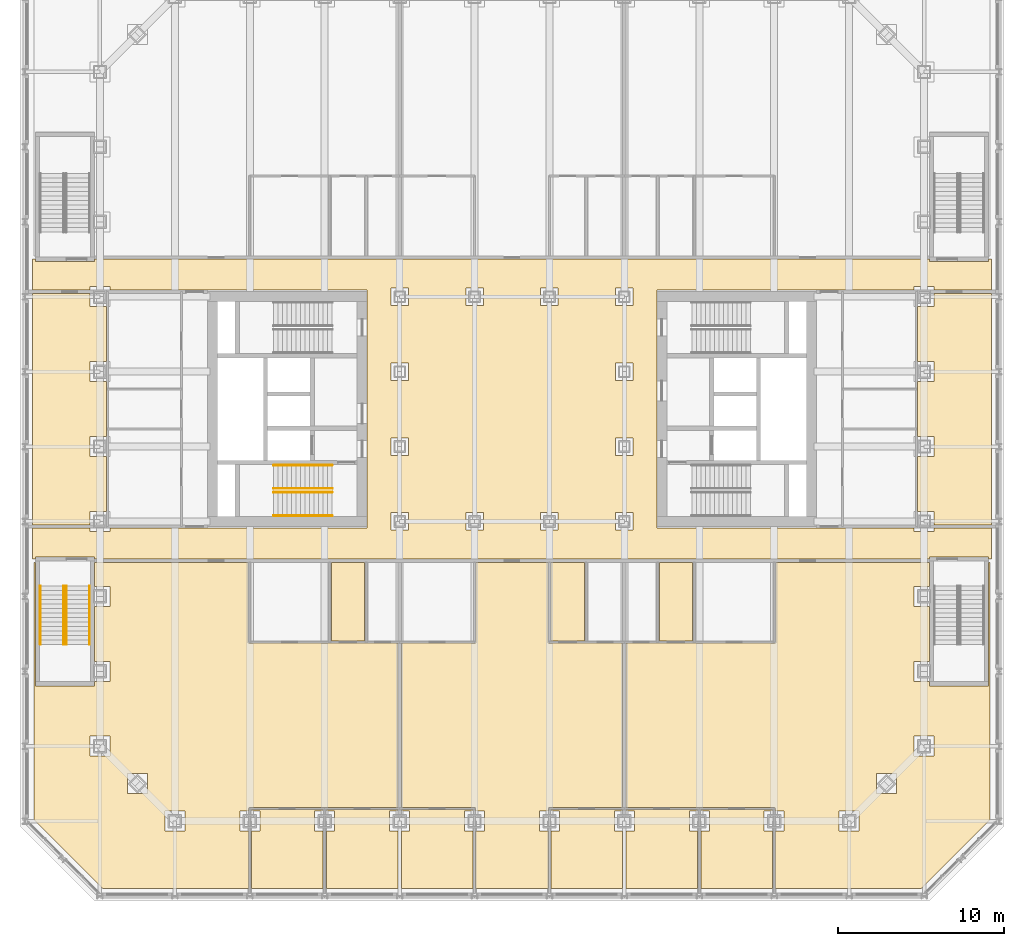
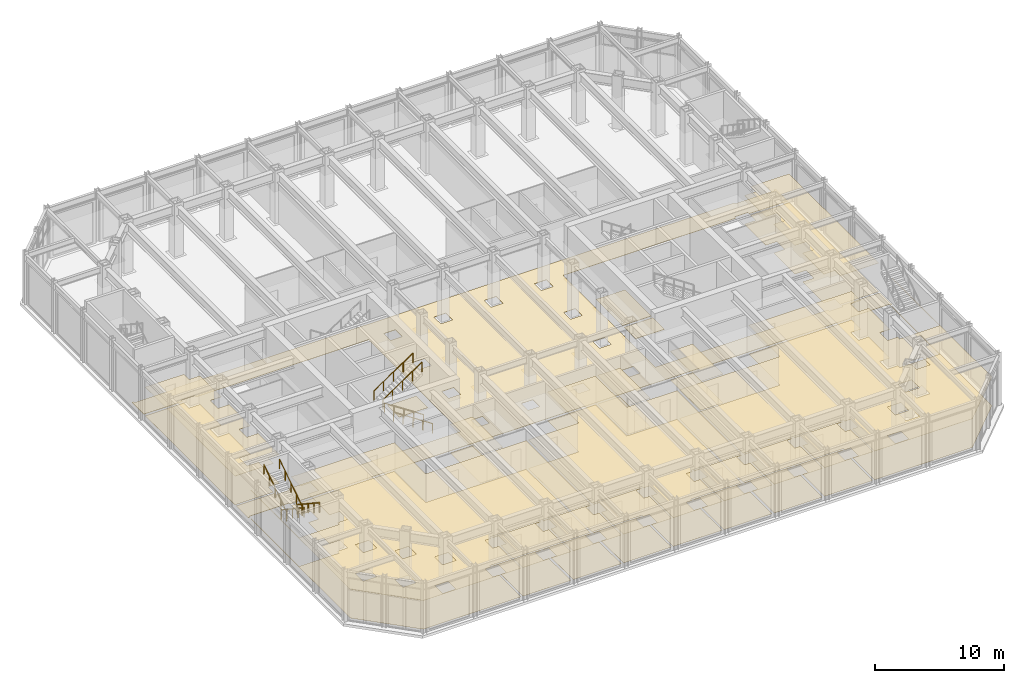
# One storey, part 17 of 19: 8 railings, 3 coverings.
"""IFC4 building model written with IfcOpenShell, lengths in metres."""

from ifc_helpers import new_model, si_unit, direction, frame, origin, origin_2d, place, context, subcontext, project, spatial, line, indexed_curve, circle, outline, extrude, material, layer, layer_set, type_object, element, save


model = new_model("IFC4")

# Units and contexts
model_context = context("Model", 3, precision=1e-05, world=origin(), true_north=direction((0.0, 1.0)))
body_context = subcontext(model_context, "Body", "Model", "MODEL_VIEW")
ifc_project = project(units=[si_unit("LENGTHUNIT", "METRE"), si_unit("AREAUNIT", "SQUARE_METRE"), si_unit("VOLUMEUNIT", "CUBIC_METRE"), si_unit("PLANEANGLEUNIT", "RADIAN"), si_unit("MASSUNIT", "GRAM", prefix="KILO")], contexts=[model_context])

# Site, building, storey
site_placement = place(None, origin())
site = spatial("IfcSite", under=ifc_project, at=site_placement, CompositionType="ELEMENT")
building_placement = place(site_placement, origin())
building = spatial("IfcBuilding", under=site, at=building_placement, Name="Msasa Ring Tower", CompositionType="ELEMENT")
storey_placement = place(building_placement, frame((0.0, 0.0, 6.0)))
storey = spatial("IfcBuildingStorey", under=building, at=storey_placement, Name="L01", CompositionType="ELEMENT", Elevation=6.0)

# Coverings
ifc_material_1 = material(Name="Mineral fibre ceiling tiles on an exposed steel grid", Category="steel")
ifc_layer_1 = layer(ifc_material_1, 0.02001953125)
ifc_layer_set_1 = layer_set([ifc_layer_1], Name="C3 ACOUSTIC MINERAL FIBRE TILE CEILING 20")
covering_type_1 = type_object("IfcCoveringType", Name="C3 ACOUSTIC MINERAL FIBRE TILE CEILING 20", PredefinedType="CEILING", material=ifc_layer_set_1)
covering_1_placement = place(storey_placement, frame((0.0, 0.0, 2.699951171875)))
element("IfcCovering", 1, at=covering_1_placement, inside=storey, type_object=covering_type_1, Name="Acoustic Mineral Fibre Tile Ceiling 20 L01", PredefinedType="CEILING", context=body_context, shape_type="SweptSolid", body=[
    extrude(outline(indexed_curve([(-24.3505859375, 2.8505859375), (-25.3505859375, 2.8505859375), (-25.3505859375, 1.6494140625), (-24.3505859375, 1.6494140625), (-24.3505859375, -1.6494140625), (-25.3505859375, -1.6494140625), (-25.3505859375, -2.8505859375), (-24.3505859375, -2.8505859375), (-24.3505859375, -6.1494140625), (-25.3505859375, -6.1494140625), (-25.3505859375, -6.949462890625), (-28.799560546875, -6.949462890625), (-28.799560546875, 6.949462890625), (-25.3505859375, 6.949462890625), (-25.3505859375, 6.1494140625), (-24.3505859375, 6.1494140625)], segments=[line(1, 2, 3, 4, 5, 6, 7, 8, 9, 10, 11, 12, 13, 14, 15, 16, 1)], self_intersect=False)), origin(), (0.0, 0.0, 1.0), 0.02001953125),
    extrude(outline(indexed_curve([(-28.630615234375, -9.200439453125), (-28.630615234375, -16.630615234375), (-25.069580078125, -16.630615234375), (-25.069580078125, -16.3505859375), (-24.1494140625, -16.3505859375), (-24.1494140625, -15.1494140625), (-25.069580078125, -15.1494140625), (-25.069580078125, -11.8505859375), (-24.1494140625, -11.8505859375), (-24.1494140625, -10.6494140625), (-25.069580078125, -10.6494140625), (-25.069580078125, -9.200439453125), (-15.8505859375, -9.200439453125), (-15.8505859375, -14.060546875), (-6.8505859375, -14.060546875), (-6.8505859375, -23.939453125), (-15.810546875, -23.939453125), (-15.810546875, -24.1494140625), (-16.3505859375, -24.1494140625), (-16.3505859375, -25.3505859375), (-15.810546875, -25.3505859375), (-15.810546875, -28.799560546875), (-24.5634765625, -28.799560546875), (-28.699462890625, -24.663330078125), (-28.699462890625, -9.200439453125)], segments=[line(1, 2, 3, 4, 5, 6, 7, 8, 9, 10, 11, 12, 13, 14, 15, 16, 17, 18, 19, 20, 21, 22, 23, 24, 25, 1)], self_intersect=False), holes=[indexed_curve([(-19.6494140625, -25.3505859375), (-19.6494140625, -24.1494140625), (-20.8505859375, -24.1494140625), (-20.8505859375, -25.3505859375)], segments=[line(1, 2, 3, 4, 1)], self_intersect=False), indexed_curve([(-21.8994140625, -23.1005859375), (-21.8994140625, -21.8994140625), (-23.1005859375, -21.8994140625), (-23.1005859375, -23.1005859375)], segments=[line(1, 2, 3, 4, 1)], self_intersect=False), indexed_curve([(-24.1494140625, -20.8505859375), (-24.1494140625, -19.6494140625), (-25.3505859375, -19.6494140625), (-25.3505859375, -20.8505859375)], segments=[line(1, 2, 3, 4, 1)], self_intersect=False)]), origin(), (0.0, 0.0, 1.0), 0.02001953125),
    extrude(outline(indexed_curve([(-15.6494140625, -25.3505859375), (-15.1494140625, -25.3505859375), (-15.1494140625, -24.1494140625), (-15.6494140625, -24.1494140625), (-15.6494140625, -24.060546875), (-11.3505859375, -24.060546875), (-11.3505859375, -24.1494140625), (-11.8505859375, -24.1494140625), (-11.8505859375, -25.3505859375), (-11.3505859375, -25.3505859375), (-11.3505859375, -28.799560546875), (-15.6494140625, -28.799560546875)], segments=[line(1, 2, 3, 4, 5, 6, 7, 8, 9, 10, 11, 12, 1)], self_intersect=False)), origin(), (0.0, 0.0, 1.0), 0.02001953125),
    extrude(outline(indexed_curve([(-6.8505859375, -24.060546875), (-6.8505859375, -24.1494140625), (-7.3505859375, -24.1494140625), (-7.3505859375, -25.3505859375), (-6.8505859375, -25.3505859375), (-6.8505859375, -28.799560546875), (-11.1494140625, -28.799560546875), (-11.1494140625, -25.3505859375), (-10.6494140625, -25.3505859375), (-10.6494140625, -24.1494140625), (-11.1494140625, -24.1494140625), (-11.1494140625, -24.060546875)], segments=[line(1, 2, 3, 4, 5, 6, 7, 8, 9, 10, 11, 12, 1)], self_intersect=False)), origin(), (0.0, 0.0, 1.0), 0.02001953125),
    extrude(outline(indexed_curve([(-10.849609375, -9.200439453125), (-8.8505859375, -9.200439453125), (-8.8505859375, -13.939453125), (-10.849609375, -13.939453125)], segments=[line(1, 2, 3, 4, 1)], self_intersect=False)), origin(), (0.0, 0.0, 1.0), 0.02001953125),
    extrude(outline(indexed_curve([(-2.189453125, -28.799560546875), (-2.189453125, -25.3505859375), (-1.6494140625, -25.3505859375), (-1.6494140625, -24.1494140625), (-2.189453125, -24.1494140625), (-2.189453125, -23.939453125), (-6.6494140625, -23.939453125), (-6.6494140625, -14.060546875), (-2.1494140625, -14.060546875), (-2.1494140625, -9.200439453125), (2.1494140625, -9.200439453125), (2.1494140625, -14.060546875), (6.6494140625, -14.060546875), (6.6494140625, -23.939453125), (2.189453125, -23.939453125), (2.189453125, -24.1494140625), (1.6494140625, -24.1494140625), (1.6494140625, -25.3505859375), (2.189453125, -25.3505859375), (2.189453125, -28.799560546875)], segments=[line(1, 2, 3, 4, 5, 6, 7, 8, 9, 10, 11, 12, 13, 14, 15, 16, 17, 18, 19, 20, 1)], self_intersect=False)), origin(), (0.0, 0.0, 1.0), 0.02001953125),
    extrude(outline(indexed_curve([(-2.3505859375, -24.060546875), (-2.3505859375, -24.1494140625), (-2.8505859375, -24.1494140625), (-2.8505859375, -25.3505859375), (-2.3505859375, -25.3505859375), (-2.3505859375, -28.799560546875), (-6.6494140625, -28.799560546875), (-6.6494140625, -25.3505859375), (-6.1494140625, -25.3505859375), (-6.1494140625, -24.1494140625), (-6.6494140625, -24.1494140625), (-6.6494140625, -24.060546875)], segments=[line(1, 2, 3, 4, 5, 6, 7, 8, 9, 10, 11, 12, 1)], self_intersect=False)), origin(), (0.0, 0.0, 1.0), 0.02001953125),
    extrude(outline(indexed_curve([(2.3505859375, -25.3505859375), (2.8505859375, -25.3505859375), (2.8505859375, -24.1494140625), (2.3505859375, -24.1494140625), (2.3505859375, -24.060546875), (6.6494140625, -24.060546875), (6.6494140625, -24.1494140625), (6.1494140625, -24.1494140625), (6.1494140625, -25.3505859375), (6.6494140625, -25.3505859375), (6.6494140625, -28.799560546875), (2.3505859375, -28.799560546875)], segments=[line(1, 2, 3, 4, 5, 6, 7, 8, 9, 10, 11, 12, 1)], self_intersect=False)), origin(), (0.0, 0.0, 1.0), 0.02001953125),
    extrude(outline(indexed_curve([(2.3505859375, -9.200439453125), (4.349609375, -9.200439453125), (4.349609375, -13.939453125), (2.3505859375, -13.939453125)], segments=[line(1, 2, 3, 4, 1)], self_intersect=False)), origin(), (0.0, 0.0, 1.0), 0.02001953125),
    extrude(outline(indexed_curve([(15.8505859375, -9.200439453125), (25.069580078125, -9.200439453125), (25.069580078125, -10.6494140625), (24.1494140625, -10.6494140625), (24.1494140625, -11.8505859375), (25.069580078125, -11.8505859375), (25.069580078125, -15.1494140625), (24.1494140625, -15.1494140625), (24.1494140625, -16.3505859375), (25.069580078125, -16.3505859375), (25.069580078125, -16.630615234375), (28.630615234375, -16.630615234375), (28.630615234375, -9.200439453125), (28.699462890625, -9.200439453125), (28.699462890625, -24.663330078125), (24.5634765625, -28.799560546875), (15.810546875, -28.799560546875), (15.810546875, -25.3505859375), (16.3505859375, -25.3505859375), (16.3505859375, -24.1494140625), (15.810546875, -24.1494140625), (15.810546875, -23.939453125), (6.8505859375, -23.939453125), (6.8505859375, -14.060546875), (15.8505859375, -14.060546875)], segments=[line(1, 2, 3, 4, 5, 6, 7, 8, 9, 10, 11, 12, 13, 14, 15, 16, 17, 18, 19, 20, 21, 22, 23, 24, 25, 1)], self_intersect=False), holes=[indexed_curve([(20.8505859375, -25.3505859375), (20.8505859375, -24.1494140625), (19.6494140625, -24.1494140625), (19.6494140625, -25.3505859375)], segments=[line(1, 2, 3, 4, 1)], self_intersect=False), indexed_curve([(23.1005859375, -23.1005859375), (23.1005859375, -21.8994140625), (21.8994140625, -21.8994140625), (21.8994140625, -23.1005859375)], segments=[line(1, 2, 3, 4, 1)], self_intersect=False), indexed_curve([(25.3505859375, -20.8505859375), (25.3505859375, -19.6494140625), (24.1494140625, -19.6494140625), (24.1494140625, -20.8505859375)], segments=[line(1, 2, 3, 4, 1)], self_intersect=False)]), origin(), (0.0, 0.0, 1.0), 0.02001953125),
    extrude(outline(indexed_curve([(11.1494140625, -24.060546875), (11.1494140625, -24.1494140625), (10.6494140625, -24.1494140625), (10.6494140625, -25.3505859375), (11.1494140625, -25.3505859375), (11.1494140625, -28.799560546875), (6.8505859375, -28.799560546875), (6.8505859375, -25.3505859375), (7.3505859375, -25.3505859375), (7.3505859375, -24.1494140625), (6.8505859375, -24.1494140625), (6.8505859375, -24.060546875)], segments=[line(1, 2, 3, 4, 5, 6, 7, 8, 9, 10, 11, 12, 1)], self_intersect=False)), origin(), (0.0, 0.0, 1.0), 0.02001953125),
    extrude(outline(indexed_curve([(8.8505859375, -9.200439453125), (10.849609375, -9.200439453125), (10.849609375, -13.939453125), (8.8505859375, -13.939453125)], segments=[line(1, 2, 3, 4, 1)], self_intersect=False)), origin(), (0.0, 0.0, 1.0), 0.02001953125),
    extrude(outline(indexed_curve([(15.6494140625, -24.060546875), (15.6494140625, -24.1494140625), (15.1494140625, -24.1494140625), (15.1494140625, -25.3505859375), (15.6494140625, -25.3505859375), (15.6494140625, -28.799560546875), (11.3505859375, -28.799560546875), (11.3505859375, -25.3505859375), (11.8505859375, -25.3505859375), (11.8505859375, -24.1494140625), (11.3505859375, -24.1494140625), (11.3505859375, -24.060546875)], segments=[line(1, 2, 3, 4, 5, 6, 7, 8, 9, 10, 11, 12, 1)], self_intersect=False)), origin(), (0.0, 0.0, 1.0), 0.02001953125),
    extrude(outline(indexed_curve([(24.3505859375, -2.8505859375), (25.3505859375, -2.8505859375), (25.3505859375, -1.6494140625), (24.3505859375, -1.6494140625), (24.3505859375, 1.6494140625), (25.3505859375, 1.6494140625), (25.3505859375, 2.8505859375), (24.3505859375, 2.8505859375), (24.3505859375, 6.1494140625), (25.3505859375, 6.1494140625), (25.3505859375, 6.949462890625), (28.799560546875, 6.949462890625), (28.799560546875, -6.949462890625), (25.3505859375, -6.949462890625), (25.3505859375, -6.1494140625), (24.3505859375, -6.1494140625)], segments=[line(1, 2, 3, 4, 5, 6, 7, 8, 9, 10, 11, 12, 13, 14, 15, 16, 1)], self_intersect=False)), origin(), (0.0, 0.0, 1.0), 0.02001953125),
])
ifc_material_2 = material(Name="Honed granite tiles on a mortar bed", Category="masonry")
ifc_layer_2 = layer(ifc_material_2, 0.030029296875)
ifc_layer_set_2 = layer_set([ifc_layer_2], Name="F1 HONED GRANITE ON BEDDING 30")
covering_type_2 = type_object("IfcCoveringType", Name="F1 HONED GRANITE ON BEDDING 30", PredefinedType="FLOORING", material=ifc_layer_set_2)
covering_2_placement = place(storey_placement, origin())
element("IfcCovering", 2, at=covering_2_placement, inside=storey, type_object=covering_type_2, Name="Honed Granite On Bedding 30 L01", PredefinedType="FLOORING", context=body_context, shape_type="SweptSolid", body=[
    extrude(outline(indexed_curve([(-8.699462890625, 7.150390625), (-24.1494140625, 7.150390625), (-24.1494140625, 7.3505859375), (-25.3505859375, 7.3505859375), (-25.3505859375, 7.150390625), (-28.799560546875, 7.150390625), (-28.799560546875, 8.99951171875), (-28.625, 8.99951171875), (-28.625, 8.87451171875), (-25.074951171875, 8.87451171875), (-25.074951171875, 8.99951171875), (25.074951171875, 8.99951171875), (25.074951171875, 8.87451171875), (28.625, 8.87451171875), (28.625, 8.99951171875), (28.799560546875, 8.99951171875), (28.799560546875, 7.150390625), (25.3505859375, 7.150390625), (25.3505859375, 7.3505859375), (24.1494140625, 7.3505859375), (24.1494140625, 7.150390625), (8.699462890625, 7.150390625), (8.699462890625, -7.150390625), (24.1494140625, -7.150390625), (24.1494140625, -7.3505859375), (25.3505859375, -7.3505859375), (25.3505859375, -7.150390625), (28.799560546875, -7.150390625), (28.799560546875, -8.99951171875), (28.625, -8.99951171875), (28.625, -8.87451171875), (25.074951171875, -8.87451171875), (25.074951171875, -8.99951171875), (-25.074951171875, -8.99951171875), (-25.074951171875, -8.87451171875), (-28.625, -8.87451171875), (-28.625, -8.99951171875), (-28.799560546875, -8.99951171875), (-28.799560546875, -7.150390625), (-25.3505859375, -7.150390625), (-25.3505859375, -7.3505859375), (-24.1494140625, -7.3505859375), (-24.1494140625, -7.150390625), (-8.699462890625, -7.150390625)], segments=[line(1, 2, 3, 4, 5, 6, 7, 8, 9, 10, 11, 12, 13, 14, 15, 16, 17, 18, 19, 20, 21, 22, 23, 24, 25, 26, 27, 28, 29, 30, 31, 32, 33, 34, 35, 36, 37, 38, 39, 40, 41, 42, 43, 44, 1)], self_intersect=False), holes=[indexed_curve([(-6.224609375, -7.275390625), (-6.224609375, -6.224609375), (-7.275390625, -6.224609375), (-7.275390625, -7.275390625)], segments=[line(1, 2, 3, 4, 1)], self_intersect=False), indexed_curve([(-1.724609375, -7.275390625), (-1.724609375, -6.224609375), (-2.775390625, -6.224609375), (-2.775390625, -7.275390625)], segments=[line(1, 2, 3, 4, 1)], self_intersect=False), indexed_curve([(-6.224609375, -2.775390625), (-6.224609375, -1.724609375), (-7.275390625, -1.724609375), (-7.275390625, -2.775390625)], segments=[line(1, 2, 3, 4, 1)], self_intersect=False), indexed_curve([(-6.224609375, 1.724609375), (-6.224609375, 2.775390625), (-7.275390625, 2.775390625), (-7.275390625, 1.724609375)], segments=[line(1, 2, 3, 4, 1)], self_intersect=False), indexed_curve([(-6.224609375, 6.224609375), (-6.224609375, 7.275390625), (-7.275390625, 7.275390625), (-7.275390625, 6.224609375)], segments=[line(1, 2, 3, 4, 1)], self_intersect=False), indexed_curve([(-1.724609375, 6.224609375), (-1.724609375, 7.275390625), (-2.775390625, 7.275390625), (-2.775390625, 6.224609375)], segments=[line(1, 2, 3, 4, 1)], self_intersect=False), indexed_curve([(2.775390625, -7.275390625), (2.775390625, -6.224609375), (1.724609375, -6.224609375), (1.724609375, -7.275390625)], segments=[line(1, 2, 3, 4, 1)], self_intersect=False), indexed_curve([(7.275390625, -7.275390625), (7.275390625, -6.224609375), (6.224609375, -6.224609375), (6.224609375, -7.275390625)], segments=[line(1, 2, 3, 4, 1)], self_intersect=False), indexed_curve([(7.275390625, -2.775390625), (7.275390625, -1.724609375), (6.224609375, -1.724609375), (6.224609375, -2.775390625)], segments=[line(1, 2, 3, 4, 1)], self_intersect=False), indexed_curve([(7.275390625, 1.724609375), (7.275390625, 2.775390625), (6.224609375, 2.775390625), (6.224609375, 1.724609375)], segments=[line(1, 2, 3, 4, 1)], self_intersect=False), indexed_curve([(2.775390625, 6.224609375), (2.775390625, 7.275390625), (1.724609375, 7.275390625), (1.724609375, 6.224609375)], segments=[line(1, 2, 3, 4, 1)], self_intersect=False), indexed_curve([(7.275390625, 6.224609375), (7.275390625, 7.275390625), (6.224609375, 7.275390625), (6.224609375, 6.224609375)], segments=[line(1, 2, 3, 4, 1)], self_intersect=False)]), origin(), (0.0, 0.0, 1.0), 0.030029296875),
    extrude(outline(indexed_curve([(-11.87451171875, -3.074462890625), (-11.87451171875, -1.275390625), (-9.300537109375, -1.275390625), (-9.300537109375, -3.074462890625)], segments=[line(1, 2, 3, 4, 1)], self_intersect=False)), origin(), (0.0, 0.0, 1.0), 0.030029296875),
    extrude(outline(indexed_curve([(9.300537109375, -3.074462890625), (9.300537109375, -1.275390625), (11.87451171875, -1.275390625), (11.87451171875, -3.074462890625)], segments=[line(1, 2, 3, 4, 1)], self_intersect=False)), origin(), (0.0, 0.0, 1.0), 0.030029296875),
    extrude(outline(indexed_curve([(9.300537109375, -1.0244140625), (9.300537109375, 3.074462890625), (11.87451171875, 3.074462890625), (11.87451171875, -1.0244140625)], segments=[line(1, 2, 3, 4, 1)], self_intersect=False)), origin(), (0.0, 0.0, 1.0), 0.030029296875),
])
ifc_material_3 = material(Name="Welded vinyl safety sheet flooring", Category="vinyl")
ifc_layer_3 = layer(ifc_material_3, 0.0029296875)
ifc_layer_set_3 = layer_set([ifc_layer_3], Name="F5 RESILIENT SHEET FLOORING 3")
covering_type_3 = type_object("IfcCoveringType", Name="F5 RESILIENT SHEET FLOORING 3", PredefinedType="FLOORING", material=ifc_layer_set_3)
covering_3_placement = place(storey_placement, origin())
element("IfcCovering", 3, at=covering_3_placement, inside=storey, type_object=covering_type_3, Name="Resilient Sheet Flooring 3 L01", PredefinedType="FLOORING", context=body_context, shape_type="SweptSolid", body=[
    extrude(outline(indexed_curve([(-28.799560546875, 6.949462890625), (-25.3505859375, 6.949462890625), (-25.3505859375, 6.1494140625), (-24.3505859375, 6.1494140625), (-24.3505859375, 2.8505859375), (-25.3505859375, 2.8505859375), (-25.3505859375, 1.6494140625), (-24.3505859375, 1.6494140625), (-24.3505859375, -1.6494140625), (-25.3505859375, -1.6494140625), (-25.3505859375, -2.8505859375), (-24.3505859375, -2.8505859375), (-24.3505859375, -6.1494140625), (-25.3505859375, -6.1494140625), (-25.3505859375, -6.949462890625), (-28.799560546875, -6.949462890625)], segments=[line(1, 2, 3, 4, 5, 6, 7, 8, 9, 10, 11, 12, 13, 14, 15, 16, 1)], self_intersect=False)), origin(), (0.0, 0.0, 1.0), 0.0029296875),
    extrude(outline(indexed_curve([(-28.630615234375, -16.630615234375), (-25.069580078125, -16.630615234375), (-25.069580078125, -16.3505859375), (-24.1494140625, -16.3505859375), (-24.1494140625, -15.1494140625), (-25.069580078125, -15.1494140625), (-25.069580078125, -11.8505859375), (-24.1494140625, -11.8505859375), (-24.1494140625, -10.6494140625), (-25.069580078125, -10.6494140625), (-25.069580078125, -9.200439453125), (-15.8505859375, -9.200439453125), (-15.8505859375, -14.060546875), (-6.8505859375, -14.060546875), (-6.8505859375, -23.939453125), (-15.810546875, -23.939453125), (-15.810546875, -24.1494140625), (-16.3505859375, -24.1494140625), (-16.3505859375, -25.3505859375), (-15.810546875, -25.3505859375), (-15.810546875, -28.799560546875), (-24.5634765625, -28.799560546875), (-28.699462890625, -24.663330078125), (-28.699462890625, -9.200439453125), (-28.630615234375, -9.200439453125)], segments=[line(1, 2, 3, 4, 5, 6, 7, 8, 9, 10, 11, 12, 13, 14, 15, 16, 17, 18, 19, 20, 21, 22, 23, 24, 25, 1)], self_intersect=False), holes=[indexed_curve([(-19.6494140625, -25.3505859375), (-19.6494140625, -24.1494140625), (-20.8505859375, -24.1494140625), (-20.8505859375, -25.3505859375)], segments=[line(1, 2, 3, 4, 1)], self_intersect=False), indexed_curve([(-21.8994140625, -23.1005859375), (-21.8994140625, -21.8994140625), (-23.1005859375, -21.8994140625), (-23.1005859375, -23.1005859375)], segments=[line(1, 2, 3, 4, 1)], self_intersect=False), indexed_curve([(-24.1494140625, -20.8505859375), (-24.1494140625, -19.6494140625), (-25.3505859375, -19.6494140625), (-25.3505859375, -20.8505859375)], segments=[line(1, 2, 3, 4, 1)], self_intersect=False)]), origin(), (0.0, 0.0, 1.0), 0.0029296875),
    extrude(outline(indexed_curve([(-11.3505859375, -24.060546875), (-11.3505859375, -24.1494140625), (-11.8505859375, -24.1494140625), (-11.8505859375, -25.3505859375), (-11.3505859375, -25.3505859375), (-11.3505859375, -28.799560546875), (-15.6494140625, -28.799560546875), (-15.6494140625, -25.3505859375), (-15.1494140625, -25.3505859375), (-15.1494140625, -24.1494140625), (-15.6494140625, -24.1494140625), (-15.6494140625, -24.060546875)], segments=[line(1, 2, 3, 4, 5, 6, 7, 8, 9, 10, 11, 12, 1)], self_intersect=False)), origin(), (0.0, 0.0, 1.0), 0.0029296875),
    extrude(outline(indexed_curve([(-11.1494140625, -28.799560546875), (-11.1494140625, -25.3505859375), (-10.6494140625, -25.3505859375), (-10.6494140625, -24.1494140625), (-11.1494140625, -24.1494140625), (-11.1494140625, -24.060546875), (-6.8505859375, -24.060546875), (-6.8505859375, -24.1494140625), (-7.3505859375, -24.1494140625), (-7.3505859375, -25.3505859375), (-6.8505859375, -25.3505859375), (-6.8505859375, -28.799560546875)], segments=[line(1, 2, 3, 4, 5, 6, 7, 8, 9, 10, 11, 12, 1)], self_intersect=False)), origin(), (0.0, 0.0, 1.0), 0.0029296875),
    extrude(outline(indexed_curve([(-8.8505859375, -9.200439453125), (-8.8505859375, -13.939453125), (-10.849609375, -13.939453125), (-10.849609375, -9.200439453125)], segments=[line(1, 2, 3, 4, 1)], self_intersect=False)), origin(), (0.0, 0.0, 1.0), 0.0029296875),
    extrude(outline(indexed_curve([(-2.189453125, -25.3505859375), (-1.6494140625, -25.3505859375), (-1.6494140625, -24.1494140625), (-2.189453125, -24.1494140625), (-2.189453125, -23.939453125), (-6.6494140625, -23.939453125), (-6.6494140625, -14.060546875), (-2.1494140625, -14.060546875), (-2.1494140625, -9.200439453125), (2.1494140625, -9.200439453125), (2.1494140625, -14.060546875), (6.6494140625, -14.060546875), (6.6494140625, -23.939453125), (2.189453125, -23.939453125), (2.189453125, -24.1494140625), (1.6494140625, -24.1494140625), (1.6494140625, -25.3505859375), (2.189453125, -25.3505859375), (2.189453125, -28.799560546875), (-2.189453125, -28.799560546875)], segments=[line(1, 2, 3, 4, 5, 6, 7, 8, 9, 10, 11, 12, 13, 14, 15, 16, 17, 18, 19, 20, 1)], self_intersect=False)), origin(), (0.0, 0.0, 1.0), 0.0029296875),
    extrude(outline(indexed_curve([(-2.3505859375, -24.1494140625), (-2.8505859375, -24.1494140625), (-2.8505859375, -25.3505859375), (-2.3505859375, -25.3505859375), (-2.3505859375, -28.799560546875), (-6.6494140625, -28.799560546875), (-6.6494140625, -25.3505859375), (-6.1494140625, -25.3505859375), (-6.1494140625, -24.1494140625), (-6.6494140625, -24.1494140625), (-6.6494140625, -24.060546875), (-2.3505859375, -24.060546875)], segments=[line(1, 2, 3, 4, 5, 6, 7, 8, 9, 10, 11, 12, 1)], self_intersect=False)), origin(), (0.0, 0.0, 1.0), 0.0029296875),
    extrude(outline(indexed_curve([(6.6494140625, -24.060546875), (6.6494140625, -24.1494140625), (6.1494140625, -24.1494140625), (6.1494140625, -25.3505859375), (6.6494140625, -25.3505859375), (6.6494140625, -28.799560546875), (2.3505859375, -28.799560546875), (2.3505859375, -25.3505859375), (2.8505859375, -25.3505859375), (2.8505859375, -24.1494140625), (2.3505859375, -24.1494140625), (2.3505859375, -24.060546875)], segments=[line(1, 2, 3, 4, 5, 6, 7, 8, 9, 10, 11, 12, 1)], self_intersect=False)), origin(), (0.0, 0.0, 1.0), 0.0029296875),
    extrude(outline(indexed_curve([(4.349609375, -9.200439453125), (4.349609375, -13.939453125), (2.3505859375, -13.939453125), (2.3505859375, -9.200439453125)], segments=[line(1, 2, 3, 4, 1)], self_intersect=False)), origin(), (0.0, 0.0, 1.0), 0.0029296875),
    extrude(outline(indexed_curve([(25.069580078125, -9.200439453125), (25.069580078125, -10.6494140625), (24.1494140625, -10.6494140625), (24.1494140625, -11.8505859375), (25.069580078125, -11.8505859375), (25.069580078125, -15.1494140625), (24.1494140625, -15.1494140625), (24.1494140625, -16.3505859375), (25.069580078125, -16.3505859375), (25.069580078125, -16.630615234375), (28.630615234375, -16.630615234375), (28.630615234375, -9.200439453125), (28.699462890625, -9.200439453125), (28.699462890625, -24.663330078125), (24.5634765625, -28.799560546875), (15.810546875, -28.799560546875), (15.810546875, -25.3505859375), (16.3505859375, -25.3505859375), (16.3505859375, -24.1494140625), (15.810546875, -24.1494140625), (15.810546875, -23.939453125), (6.8505859375, -23.939453125), (6.8505859375, -14.060546875), (15.8505859375, -14.060546875), (15.8505859375, -9.200439453125)], segments=[line(1, 2, 3, 4, 5, 6, 7, 8, 9, 10, 11, 12, 13, 14, 15, 16, 17, 18, 19, 20, 21, 22, 23, 24, 25, 1)], self_intersect=False), holes=[indexed_curve([(20.8505859375, -25.3505859375), (20.8505859375, -24.1494140625), (19.6494140625, -24.1494140625), (19.6494140625, -25.3505859375)], segments=[line(1, 2, 3, 4, 1)], self_intersect=False), indexed_curve([(23.1005859375, -23.1005859375), (23.1005859375, -21.8994140625), (21.8994140625, -21.8994140625), (21.8994140625, -23.1005859375)], segments=[line(1, 2, 3, 4, 1)], self_intersect=False), indexed_curve([(25.3505859375, -20.8505859375), (25.3505859375, -19.6494140625), (24.1494140625, -19.6494140625), (24.1494140625, -20.8505859375)], segments=[line(1, 2, 3, 4, 1)], self_intersect=False)]), origin(), (0.0, 0.0, 1.0), 0.0029296875),
    extrude(outline(indexed_curve([(11.1494140625, -24.1494140625), (10.6494140625, -24.1494140625), (10.6494140625, -25.3505859375), (11.1494140625, -25.3505859375), (11.1494140625, -28.799560546875), (6.8505859375, -28.799560546875), (6.8505859375, -25.3505859375), (7.3505859375, -25.3505859375), (7.3505859375, -24.1494140625), (6.8505859375, -24.1494140625), (6.8505859375, -24.060546875), (11.1494140625, -24.060546875)], segments=[line(1, 2, 3, 4, 5, 6, 7, 8, 9, 10, 11, 12, 1)], self_intersect=False)), origin(), (0.0, 0.0, 1.0), 0.0029296875),
    extrude(outline(indexed_curve([(10.849609375, -9.200439453125), (10.849609375, -13.939453125), (8.8505859375, -13.939453125), (8.8505859375, -9.200439453125)], segments=[line(1, 2, 3, 4, 1)], self_intersect=False)), origin(), (0.0, 0.0, 1.0), 0.0029296875),
    extrude(outline(indexed_curve([(15.6494140625, -24.1494140625), (15.1494140625, -24.1494140625), (15.1494140625, -25.3505859375), (15.6494140625, -25.3505859375), (15.6494140625, -28.799560546875), (11.3505859375, -28.799560546875), (11.3505859375, -25.3505859375), (11.8505859375, -25.3505859375), (11.8505859375, -24.1494140625), (11.3505859375, -24.1494140625), (11.3505859375, -24.060546875), (15.6494140625, -24.060546875)], segments=[line(1, 2, 3, 4, 5, 6, 7, 8, 9, 10, 11, 12, 1)], self_intersect=False)), origin(), (0.0, 0.0, 1.0), 0.0029296875),
    extrude(outline(indexed_curve([(24.3505859375, -2.8505859375), (25.3505859375, -2.8505859375), (25.3505859375, -1.6494140625), (24.3505859375, -1.6494140625), (24.3505859375, 1.6494140625), (25.3505859375, 1.6494140625), (25.3505859375, 2.8505859375), (24.3505859375, 2.8505859375), (24.3505859375, 6.1494140625), (25.3505859375, 6.1494140625), (25.3505859375, 6.949462890625), (28.799560546875, 6.949462890625), (28.799560546875, -6.949462890625), (25.3505859375, -6.949462890625), (25.3505859375, -6.1494140625), (24.3505859375, -6.1494140625)], segments=[line(1, 2, 3, 4, 5, 6, 7, 8, 9, 10, 11, 12, 13, 14, 15, 16, 1)], self_intersect=False)), origin(), (0.0, 0.0, 1.0), 0.0029296875),
])

# Railings
ifc_material_4 = material(Name="Stainless steel", Category="steel")
railing_type = type_object("IfcRailingType", Name="HR1 HANDRAIL 900", PredefinedType="HANDRAIL", material=ifc_material_4)
for number, where, name in (
    (4, (-10.800048828125, -6.39990234375, 0.178466796875), "Handrail stair SWA L01 1"),
    (5, (-10.800048828125, -5.0, 0.178466796875), "Handrail stair SWA L01 2"),
):
    element("IfcRailing", number, at=place(storey_placement, frame(where)), inside=storey, type_object=railing_type, Name=name, PredefinedType="HANDRAIL", context=body_context, shape_type="SweptSolid", body=[
        extrude(circle(Radius=0.02392578125, at=origin_2d()), frame((0.0, 0.0, 0.8759765625), z_axis=(-0.834070780157, 0.0, 0.551657442339), x_axis=(0.0, -1.0, 0.0)), (0.0, 0.0, 1.0), 4.208251953125),
        extrude(circle(Radius=0.02099609375, at=origin_2d()), origin(), (0.0, 0.0, 1.0), 0.851806640625),
        extrude(circle(Radius=0.02099609375, at=origin_2d()), frame((-0.87744140625, 0.0, 0.580322265625)), (0.0, 0.0, 1.0), 0.851806640625),
        extrude(circle(Radius=0.02099609375, at=origin_2d()), frame((-1.7548828125, 0.0, 1.16064453125)), (0.0, 0.0, 1.0), 0.851806640625),
        extrude(circle(Radius=0.02099609375, at=origin_2d()), frame((-2.632568359375, 0.0, 1.7412109375)), (0.0, 0.0, 1.0), 0.851806640625),
        extrude(circle(Radius=0.02099609375, at=origin_2d()), frame((-3.510009765625, 0.0, 2.321533203125)), (0.0, 0.0, 1.0), 0.851806640625),
    ])
for number, where, name in (
    (6, (-14.31005859375, -4.77490234375, 2.678466796875), "Handrail stair SWA L01 3"),
    (7, (-14.31005859375, -3.375, 2.678466796875), "Handrail stair SWA L01 4"),
):
    element("IfcRailing", number, at=place(storey_placement, frame(where)), inside=storey, type_object=railing_type, Name=name, PredefinedType="HANDRAIL", context=body_context, shape_type="SweptSolid", body=[
        extrude(circle(Radius=0.02392578125, at=origin_2d()), frame((0.0, 0.0, 0.8759765625), z_axis=(0.834070780157, 0.0, 0.551657442339), x_axis=(0.0, 1.0, 0.0)), (0.0, 0.0, 1.0), 4.208251953125),
        extrude(circle(Radius=0.02099609375, at=origin_2d()), origin(), (0.0, 0.0, 1.0), 0.851806640625),
        extrude(circle(Radius=0.02099609375, at=origin_2d()), frame((0.87744140625, 0.0, 0.580322265625)), (0.0, 0.0, 1.0), 0.851806640625),
        extrude(circle(Radius=0.02099609375, at=origin_2d()), frame((1.7548828125, 0.0, 1.16064453125)), (0.0, 0.0, 1.0), 0.851806640625),
        extrude(circle(Radius=0.02099609375, at=origin_2d()), frame((2.632568359375, 0.0, 1.7412109375)), (0.0, 0.0, 1.0), 0.851806640625),
        extrude(circle(Radius=0.02099609375, at=origin_2d()), frame((3.510009765625, 0.0, 2.321533203125)), (0.0, 0.0, 1.0), 0.851806640625),
    ])
for number, where, name in (
    (8, (-26.77490234375, -10.625, 0.178466796875), "Handrail podium stair PWS L01 1"),
    (9, (-25.375, -10.625, 0.178466796875), "Handrail podium stair PWS L01 2"),
):
    element("IfcRailing", number, at=place(storey_placement, frame(where)), inside=storey, type_object=railing_type, Name=name, PredefinedType="HANDRAIL", context=body_context, shape_type="SweptSolid", body=[
        extrude(circle(Radius=0.02392578125, at=origin_2d()), frame((0.0, 0.0, 0.8759765625), z_axis=(0.0, -0.834070780157, 0.551657442339), x_axis=(1.0, 0.0, 0.0)), (0.0, 0.0, 1.0), 4.208251953125),
        extrude(circle(Radius=0.02099609375, at=origin_2d()), origin(), (0.0, 0.0, 1.0), 0.851806640625),
        extrude(circle(Radius=0.02099609375, at=origin_2d()), frame((0.0, -0.87744140625, 0.580322265625)), (0.0, 0.0, 1.0), 0.851806640625),
        extrude(circle(Radius=0.02099609375, at=origin_2d()), frame((0.0, -1.7548828125, 1.16064453125)), (0.0, 0.0, 1.0), 0.851806640625),
        extrude(circle(Radius=0.02099609375, at=origin_2d()), frame((0.0, -2.632568359375, 1.7412109375)), (0.0, 0.0, 1.0), 0.851806640625),
        extrude(circle(Radius=0.02099609375, at=origin_2d()), frame((0.0, -3.510009765625, 2.321533203125)), (0.0, 0.0, 1.0), 0.851806640625),
    ])
for number, where, name in (
    (10, (-28.324951171875, -14.135009765625, 2.678466796875), "Handrail podium stair PWS L01 3"),
    (11, (-26.925048828125, -14.135009765625, 2.678466796875), "Handrail podium stair PWS L01 4"),
):
    element("IfcRailing", number, at=place(storey_placement, frame(where)), inside=storey, type_object=railing_type, Name=name, PredefinedType="HANDRAIL", context=body_context, shape_type="SweptSolid", body=[
        extrude(circle(Radius=0.02392578125, at=origin_2d()), frame((0.0, 0.0, 0.8759765625), z_axis=(0.0, 0.834070780157, 0.551657442339), x_axis=(-1.0, 0.0, 0.0)), (0.0, 0.0, 1.0), 4.208251953125),
        extrude(circle(Radius=0.02099609375, at=origin_2d()), origin(), (0.0, 0.0, 1.0), 0.851806640625),
        extrude(circle(Radius=0.02099609375, at=origin_2d()), frame((0.0, 0.87744140625, 0.580322265625)), (0.0, 0.0, 1.0), 0.851806640625),
        extrude(circle(Radius=0.02099609375, at=origin_2d()), frame((0.0, 1.7548828125, 1.16064453125)), (0.0, 0.0, 1.0), 0.851806640625),
        extrude(circle(Radius=0.02099609375, at=origin_2d()), frame((0.0, 2.632568359375, 1.7412109375)), (0.0, 0.0, 1.0), 0.851806640625),
        extrude(circle(Radius=0.02099609375, at=origin_2d()), frame((0.0, 3.510009765625, 2.321533203125)), (0.0, 0.0, 1.0), 0.851806640625),
    ])

save(model, "model.ifc")
